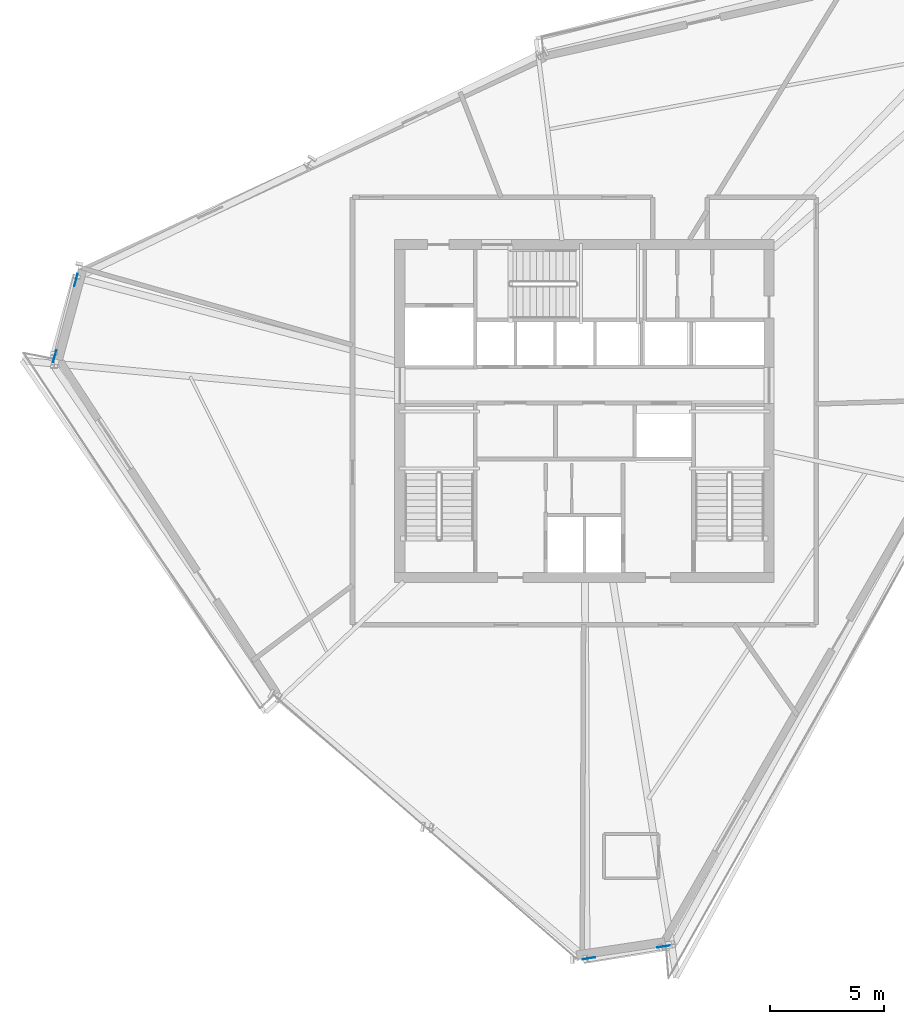
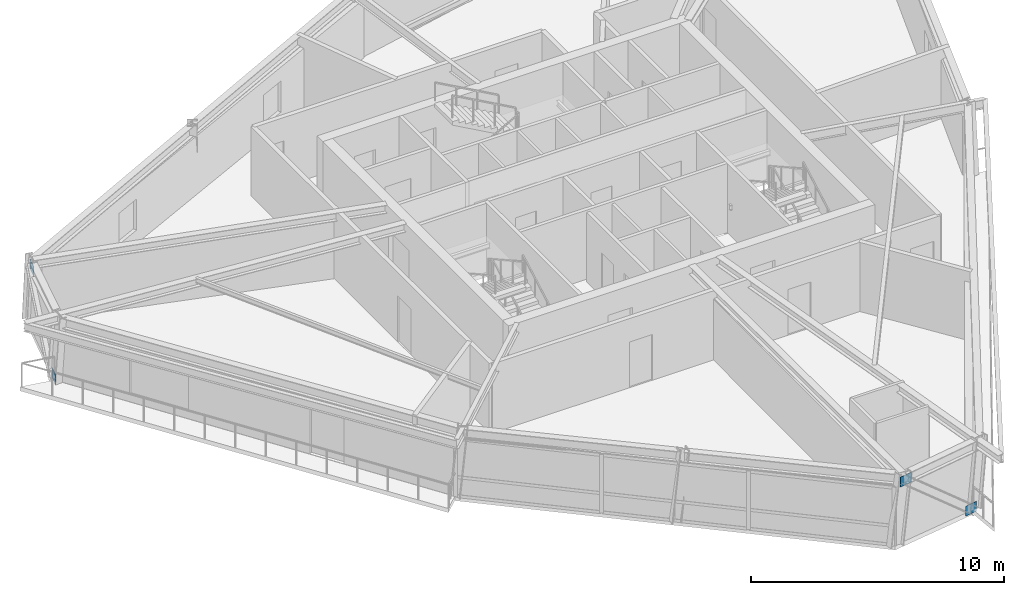
# One storey, part 6 of 13: 4 plates.
"""IFC4 building model written with IfcOpenShell, lengths in metres."""

from ifc_helpers import new_model, si_unit, direction, frame, origin, origin_2d, place, context, subcontext, project, spatial, rectangle, extrude, source, transform, mapped, material, type_object, element, save


model = new_model("IFC4")

# Units and contexts
model_context = context("Model", 3, precision=1e-05, world=origin(), true_north=direction((0.0, 1.0)))
body_context = subcontext(model_context, "Body", "Model", "MODEL_VIEW")
ifc_project = project(units=[si_unit("LENGTHUNIT", "METRE"), si_unit("AREAUNIT", "SQUARE_METRE"), si_unit("VOLUMEUNIT", "CUBIC_METRE"), si_unit("PLANEANGLEUNIT", "RADIAN"), si_unit("MASSUNIT", "GRAM", prefix="KILO")], contexts=[model_context])

# Site, building, storey
site_placement = place(None, origin())
site = spatial("IfcSite", under=ifc_project, at=site_placement, CompositionType="ELEMENT")
building_placement = place(site_placement, origin())
building = spatial("IfcBuilding", under=site, at=building_placement, Name="Olszyna Solenne Hotel", CompositionType="ELEMENT")
storey_placement = place(building_placement, frame((0.0, 0.0, 209.60009765625)))
storey = spatial("IfcBuildingStorey", under=building, at=storey_placement, Name="L55", CompositionType="ELEMENT", Elevation=209.60009765625)

# Plates
ifc_material = material(Name="Steel S355J2", Category="steel")
plate_type = type_object("IfcPlateType", Name="GP-ND2", PredefinedType="USERDEFINED", material=ifc_material)
shared_shape = source(origin(), body_context, "Body", "SweptSolid", [
    extrude(rectangle(XDim=0.56005859375, YDim=0.02001953125, at=origin_2d()), origin(), (0.0, 0.0, 1.0), 0.47998046875),
])
for number, where, z_axis, x_axis, name in (
    (1, (14.69775390625, 29.00634765625, -0.14111328125), (0.0, 0.0, 1.0), (0.26875171294, 0.963209487491, 0.0), "Brace end connection gusset plate GP-ND2 EP-BR-L55-2-1"),
    (2, (15.633544921875, 32.36083984375, 2.725830078125), (0.0, 0.0, 1.0), (0.26875171294, 0.963209487491, 0.0), "Brace end connection gusset plate GP-ND2 EP-BR-L55-2-2"),
    (3, (41.474853515625, 3.0380859375, -0.138671875), (0.0, 0.0, 1.0), (-0.987688340595, -0.15643446504, 0.0), "Brace end connection gusset plate GP-ND2 EP-BR-L55-3-1"),
    (4, (38.19921875, 2.519287109375, 2.723388671875), (0.0, 0.0, 1.0), (-0.987688340595, -0.15643446504, 0.0), "Brace end connection gusset plate GP-ND2 EP-BR-L55-3-2"),
):
    element("IfcPlate", number, at=place(storey_placement, frame(where, z_axis=z_axis, x_axis=x_axis)), inside=storey, type_object=plate_type, Name=name, ObjectType="GUSSET_PLATE", PredefinedType="USERDEFINED", context=body_context, shape_type="MappedRepresentation", body=[
        mapped(shared_shape, transform((0.0, 0.0, 0.0), x_axis=(1.0, 0.0, 0.0), y_axis=(0.0, 1.0, 0.0), z_axis=(0.0, 0.0, 1.0), scale=1.0)),
    ])

save(model, "model.ifc")
